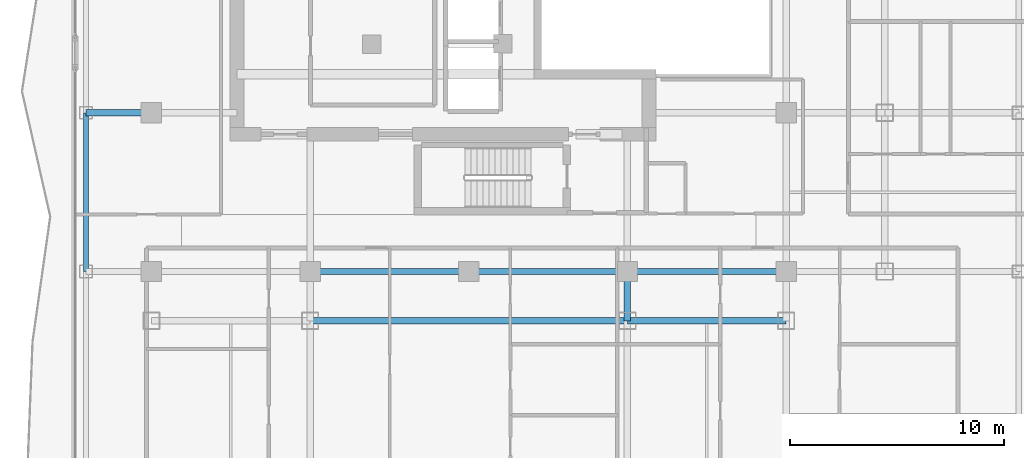
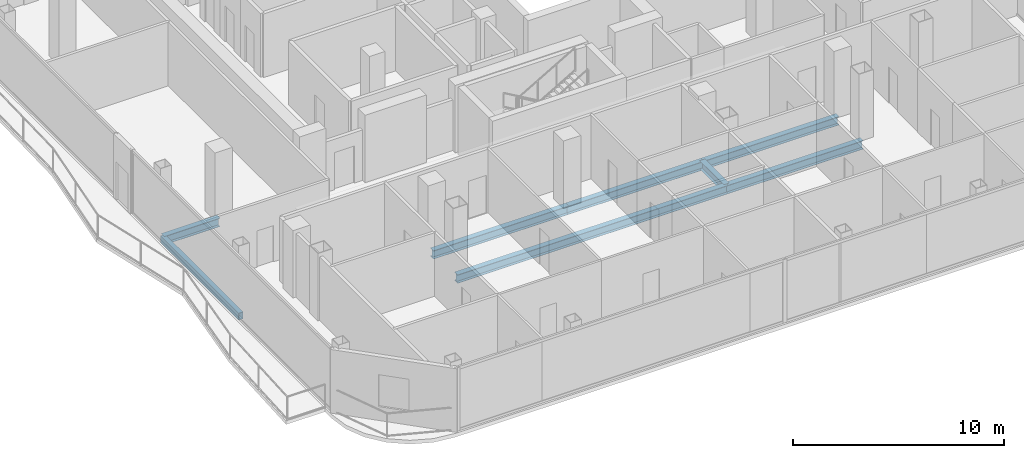
# One storey, part 5 of 27: 8 beams.
"""IFC4 building model written with IfcOpenShell, lengths in metres."""

from ifc_helpers import new_model, si_unit, direction, frame, origin, origin_2d, place, context, subcontext, project, spatial, hollow_rectangle, i_section, extrude, material, material_profile, profile_set, type_object, element, save


model = new_model("IFC4")

# Units and contexts
model_context = context("Model", 3, precision=1e-05, world=origin(), true_north=direction((0.0, 1.0)))
body_context = subcontext(model_context, "Body", "Model", "MODEL_VIEW")
ifc_project = project(units=[si_unit("LENGTHUNIT", "METRE"), si_unit("AREAUNIT", "SQUARE_METRE"), si_unit("VOLUMEUNIT", "CUBIC_METRE"), si_unit("PLANEANGLEUNIT", "RADIAN"), si_unit("MASSUNIT", "GRAM", prefix="KILO")], contexts=[model_context])

# Site, building, storey
site_placement = place(None, origin())
site = spatial("IfcSite", under=ifc_project, at=site_placement, CompositionType="ELEMENT")
building_placement = place(site_placement, origin())
building = spatial("IfcBuilding", under=site, at=building_placement, Name="Khorvyn Point Tower", CompositionType="ELEMENT")
storey_placement = place(building_placement, frame((0.0, 0.0, 246.89990234375)))
storey = spatial("IfcBuildingStorey", under=building, at=storey_placement, Name="L60", CompositionType="ELEMENT", Elevation=246.89990234375)

# Beams
ifc_material = material(Name="Steel S355", Category="steel")
ifc_material_profile_1 = material_profile(ifc_material, i_section(OverallWidth=0.300048828125, OverallDepth=0.488037109375, WebThickness=0.010986328125, FlangeThickness=0.01806640625, at=origin_2d()))
ifc_profile_set_1 = profile_set([ifc_material_profile_1], Name="Steel S355 H488x300x11x18")
beam_type_1 = type_object("IfcBeamType", Name="Steel S355 Spandrel H488x300x11x18", PredefinedType="SPANDREL", material=ifc_profile_set_1)
for number, where, z_axis, x_axis, name in (
    (1, (-7.39990234375, -14.800048828125, -0.4638671875), (1.0, 0.0, 0.0), (0.0, 1.0, 0.0), "Beam"),
    (2, (0.0, -14.800048828125, -0.4638671875), (1.0, 0.0, 0.0), (0.0, 1.0, 0.0), "Beam"),
):
    element("IfcBeam", number, at=place(storey_placement, frame(where, z_axis=z_axis, x_axis=x_axis)), inside=storey, type_object=beam_type_1, Name=name, PredefinedType="SPANDREL", context=body_context, shape_type="SweptSolid", body=[
        extrude(i_section(OverallWidth=0.300048828125, OverallDepth=0.488037109375, WebThickness=0.010986328125, FlangeThickness=0.01806640625, at=origin_2d()), origin(), (0.0, 0.0, 1.0), 7.39990234375),
    ])
beam_1_placement = place(storey_placement, frame((7.39990234375, -14.800048828125, -0.4638671875), z_axis=(1.0, 0.0, 0.0), x_axis=(0.0, 1.0, 0.0)))
element("IfcBeam", 3, at=beam_1_placement, inside=storey, type_object=beam_type_1, Name="Beam", PredefinedType="SPANDREL", context=body_context, shape_type="SweptSolid", body=[
    extrude(i_section(OverallWidth=0.300048828125, OverallDepth=0.488037109375, WebThickness=0.010986328125, FlangeThickness=0.01806640625, at=origin_2d()), origin(), (0.0, 0.0, 1.0), 7.400146484375),
])
beam_2_placement = place(storey_placement, frame((-17.85009765625, -7.39990234375, -0.4638671875), z_axis=(1.0, 0.0, 0.0), x_axis=(0.0, 1.0, 0.0)))
element("IfcBeam", 4, at=beam_2_placement, inside=storey, type_object=beam_type_1, Name="Beam", PredefinedType="SPANDREL", context=body_context, shape_type="SweptSolid", body=[
    extrude(i_section(OverallWidth=0.300048828125, OverallDepth=0.488037109375, WebThickness=0.010986328125, FlangeThickness=0.01806640625, at=origin_2d()), origin(), (0.0, 0.0, 1.0), 3.050048828125),
])
beam_3_placement = place(storey_placement, frame((-7.39990234375, -17.10009765625, -0.4638671875), z_axis=(1.0, 0.0, 0.0), x_axis=(0.0, 1.0, 0.0)))
element("IfcBeam", 5, at=beam_3_placement, inside=storey, type_object=beam_type_1, Name="Beam", PredefinedType="SPANDREL", context=body_context, shape_type="SweptSolid", body=[
    extrude(i_section(OverallWidth=0.300048828125, OverallDepth=0.488037109375, WebThickness=0.010986328125, FlangeThickness=0.01806640625, at=origin_2d()), origin(), (0.0, 0.0, 1.0), 14.7998046875),
])
beam_4_placement = place(storey_placement, frame((7.39990234375, -17.10009765625, -0.4638671875), z_axis=(1.0, 0.0, 0.0), x_axis=(0.0, 1.0, 0.0)))
element("IfcBeam", 6, at=beam_4_placement, inside=storey, type_object=beam_type_1, Name="Beam", PredefinedType="SPANDREL", context=body_context, shape_type="SweptSolid", body=[
    extrude(i_section(OverallWidth=0.300048828125, OverallDepth=0.488037109375, WebThickness=0.010986328125, FlangeThickness=0.01806640625, at=origin_2d()), origin(), (0.0, 0.0, 1.0), 7.400146484375),
])
beam_5_placement = place(storey_placement, frame((7.39990234375, -17.10009765625, -0.4638671875), z_axis=(0.0, 1.0, 0.0), x_axis=(-1.0, 0.0, 0.0)))
element("IfcBeam", 7, at=beam_5_placement, inside=storey, type_object=beam_type_1, Name="Beam", PredefinedType="SPANDREL", context=body_context, shape_type="SweptSolid", body=[
    extrude(i_section(OverallWidth=0.300048828125, OverallDepth=0.488037109375, WebThickness=0.010986328125, FlangeThickness=0.01806640625, at=origin_2d()), origin(), (0.0, 0.0, 1.0), 2.300048828125),
])
ifc_material_profile_2 = material_profile(ifc_material, hollow_rectangle(XDim=0.25, YDim=0.39990234375, WallThickness=0.01611328125, at=origin_2d()))
ifc_profile_set_2 = profile_set([ifc_material_profile_2], Name="Steel S355 RHS400x250x16")
beam_type_2 = type_object("IfcBeamType", Name="Steel S355 Spandrel RHS400x250x16", PredefinedType="SPANDREL", material=ifc_profile_set_2)
beam_6_placement = place(storey_placement, frame((-17.85009765625, -14.800048828125, -0.419921875), z_axis=(0.0, 1.0, 0.0), x_axis=(-1.0, 0.0, 0.0)))
element("IfcBeam", 8, at=beam_6_placement, inside=storey, type_object=beam_type_2, Name="Beam", PredefinedType="SPANDREL", context=body_context, shape_type="SweptSolid", body=[
    extrude(hollow_rectangle(XDim=0.25, YDim=0.39990234375, WallThickness=0.01611328125, at=origin_2d()), origin(), (0.0, 0.0, 1.0), 7.400146484375),
])

save(model, "model.ifc")
